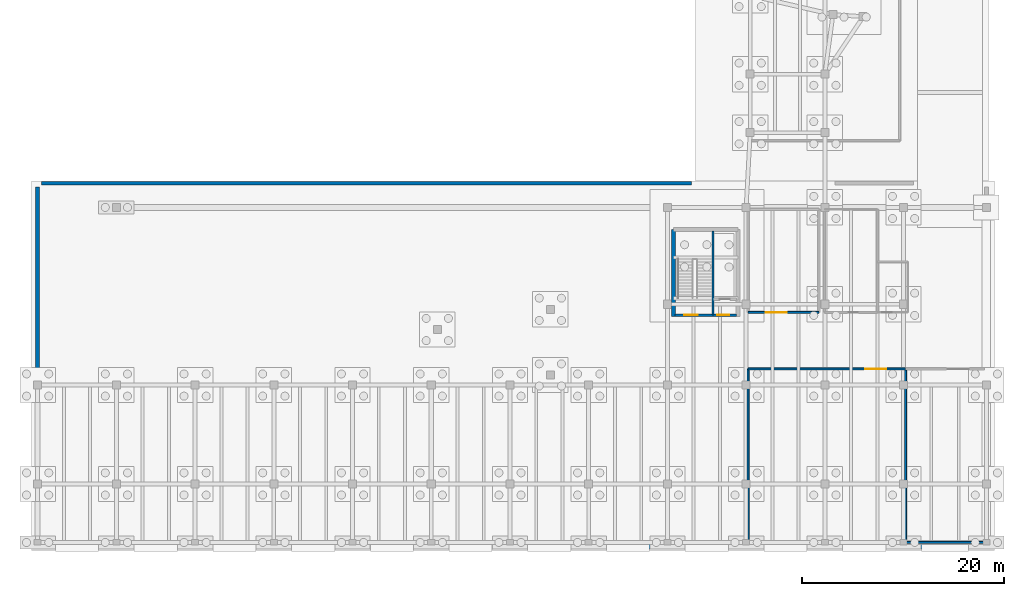
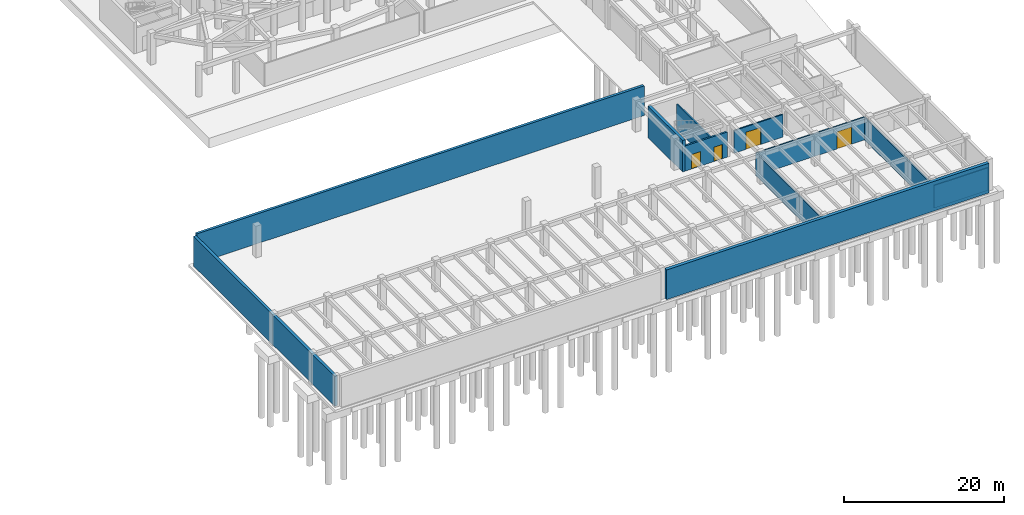
# One storey, part 6 of 11: 11 walls, 4 doors, 4 openings.
"""IFC4 building model written with IfcOpenShell, lengths in metres."""

from ifc_helpers import new_model, si_unit, direction, frame, frame_2d, origin, place, context, subcontext, project, spatial, rectangle, extrude, material, layer, layer_set, type_object, element, fill, save


model = new_model("IFC4")

# Units and contexts
model_context = context("Model", 3, precision=1e-05, world=origin(), true_north=direction((0.0, 1.0)))
body_context = subcontext(model_context, "Body", "Model", "MODEL_VIEW")
ifc_project = project(units=[si_unit("LENGTHUNIT", "METRE"), si_unit("AREAUNIT", "SQUARE_METRE"), si_unit("VOLUMEUNIT", "CUBIC_METRE"), si_unit("PLANEANGLEUNIT", "RADIAN"), si_unit("MASSUNIT", "GRAM", prefix="KILO")], contexts=[model_context])

# Site, building, storey
site_placement = place(None, origin())
site = spatial("IfcSite", under=ifc_project, at=site_placement, CompositionType="ELEMENT")
building_placement = place(site_placement, origin())
building = spatial("IfcBuilding", under=site, at=building_placement, Name="Pelvatis Terrace Science Centre", CompositionType="ELEMENT")
storey_placement = place(building_placement, frame((0.0, 0.0, -4.800048828125)))
storey = spatial("IfcBuildingStorey", under=building, at=storey_placement, Name="B01", CompositionType="ELEMENT", Elevation=-4.800048828125)

# Walls
ifc_material_1 = material(Name="Masonry laboratory fire wall", Category="masonry")
ifc_layer_1 = layer(ifc_material_1, 0.18994140625)
ifc_layer_set_1 = layer_set([ifc_layer_1], Name="Masonry laboratory fire wall")
wall_type_1 = type_object("IfcWallType", Name="WL-INT-COMP-190", PredefinedType="PARTITIONING", material=ifc_layer_set_1)
wall_1_placement = place(storey_placement, frame((156.199951171875, 0.39990234375, 0.0), z_axis=(0.0, 0.0, 1.0), x_axis=(1.0, 0.0, 0.0)))
element("IfcWall", 1, at=wall_1_placement, inside=storey, type_object=wall_type_1, Name="Covered Heavy Exhibit Loading Dock partition wall S", PredefinedType="PARTITIONING", context=body_context, shape_type="SweptSolid", body=[
    extrude(rectangle(XDim=7.800048828125, YDim=0.18994140625, at=frame_2d((3.89990234375, 0.0))), origin(), (0.0, 0.0, 1.0), 3.449951171875),
])
wall_2_placement = place(storey_placement, frame((156.199951171875, 17.60009765625, 0.0), z_axis=(0.0, 0.0, 1.0), x_axis=(0.0, -1.0, 0.0)))
element("IfcWall", 2, at=wall_2_placement, inside=storey, type_object=wall_type_1, Name="Covered Heavy Exhibit Loading Dock partition wall W", PredefinedType="PARTITIONING", context=body_context, shape_type="SweptSolid", body=[
    extrude(rectangle(XDim=17.2001953125, YDim=0.18994140625, at=frame_2d((8.60009765625, 0.0))), origin(), (0.0, 0.0, 1.0), 3.449951171875),
])

# Wall, opening, door
wall_3_placement = place(storey_placement, frame((156.199951171875, 17.60009765625, 0.0), z_axis=(0.0, 0.0, 1.0), x_axis=(-1.0, 0.0, 0.0)))
wall_3 = element("IfcWall", 3, at=wall_3_placement, inside=storey, type_object=wall_type_1, Name="Exhibit Carpentry and Metalwork Fabrication Workshop partition wall N", PredefinedType="PARTITIONING", context=body_context, shape_type="SweptSolid", body=[
    extrude(rectangle(XDim=15.599853515625, YDim=0.18994140625, at=frame_2d((7.7998046875, 0.0))), origin(), (0.0, 0.0, 1.0), 3.449951171875),
])
opening_1_placement = place(wall_3_placement, frame((1.910888671875, 0.0, 0.0)))
opening_1 = element("IfcOpeningElement", 4, at=opening_1_placement, cuts=wall_3, Name="Opening D-165", PredefinedType="OPENING", context=body_context, shape_type="SweptSolid", body=[
    extrude(rectangle(XDim=2.10009765625, YDim=2.60009765625, at=frame_2d((1.050048828125, 1.300048828125))), frame((0.0, 0.10498046875, 0.0), z_axis=(0.0, -1.0, 0.0), x_axis=(1.0, 0.0, 0.0)), (0.0, 0.0, 1.0), 0.2099609375),
])
ifc_material_2 = material(Name="Steel workshop crating double fire door", Category="steel")
door_type_1 = type_object("IfcDoorType", Name="DR-WORK-2100x2600", OperationType="NOTDEFINED", PredefinedType="DOOR", material=ifc_material_2)
door_1_placement = place(opening_1_placement, origin())
door_1 = element("IfcDoor", 5, at=door_1_placement, inside=storey, type_object=door_type_1, Name="Exhibit Carpentry and Metalwork Fabrication Workshop entrance door", OperationType="DOUBLE_DOOR_SINGLE_SWING", OverallHeight=2.60009765625, OverallWidth=2.10009765625, PredefinedType="DOOR", context=body_context, shape_type="SweptSolid", body=[
    extrude(rectangle(XDim=2.10009765625, YDim=2.60009765625, at=frame_2d((1.050048828125, 1.300048828125))), frame((0.0, 0.02490234375, 0.0), z_axis=(0.0, -1.0, 0.0), x_axis=(1.0, 0.0, 0.0)), (0.0, 0.0, 1.0), 0.050048828125),
])
fill(opening_1, door_1)

# Wall
wall_4_placement = place(storey_placement, frame((140.60009765625, 17.60009765625, 0.0), z_axis=(0.0, 0.0, 1.0), x_axis=(0.0, -1.0, 0.0)))
element("IfcWall", 6, at=wall_4_placement, inside=storey, type_object=wall_type_1, Name="Exhibit Carpentry and Metalwork Fabrication Workshop partition wall W", PredefinedType="PARTITIONING", context=body_context, shape_type="SweptSolid", body=[
    extrude(rectangle(XDim=17.2001953125, YDim=0.18994140625, at=frame_2d((8.60009765625, 0.0))), origin(), (0.0, 0.0, 1.0), 3.449951171875),
])

# Wall, opening, door
wall_5_placement = place(storey_placement, frame((140.60009765625, 23.199951171875, 0.0), z_axis=(0.0, 0.0, 1.0), x_axis=(1.0, 0.0, 0.0)))
wall_5 = element("IfcWall", 7, at=wall_5_placement, inside=storey, type_object=wall_type_1, Name="Clean Electronics and Exhibit Prototyping Workshop partition wall S", PredefinedType="PARTITIONING", context=body_context, shape_type="SweptSolid", body=[
    extrude(rectangle(XDim=7.0, YDim=0.18994140625, at=frame_2d((3.5, 0.0))), origin(), (0.0, 0.0, 1.0), 3.449951171875),
])
opening_2_placement = place(wall_5_placement, frame((1.73193359375, 0.0, 0.0)))
opening_2 = element("IfcOpeningElement", 8, at=opening_2_placement, cuts=wall_5, Name="Opening D-166", PredefinedType="OPENING", context=body_context, shape_type="SweptSolid", body=[
    extrude(rectangle(XDim=2.10009765625, YDim=2.60009765625, at=frame_2d((1.050048828125, 1.300048828125))), frame((0.0, 0.10498046875, 0.0), z_axis=(0.0, -1.0, 0.0), x_axis=(1.0, 0.0, 0.0)), (0.0, 0.0, 1.0), 0.2099609375),
])
door_2_placement = place(opening_2_placement, origin())
door_2 = element("IfcDoor", 9, at=door_2_placement, inside=storey, type_object=door_type_1, Name="Clean Electronics and Exhibit Prototyping Workshop entrance door", OperationType="DOUBLE_DOOR_SINGLE_SWING", OverallHeight=2.60009765625, OverallWidth=2.10009765625, PredefinedType="DOOR", context=body_context, shape_type="SweptSolid", body=[
    extrude(rectangle(XDim=2.10009765625, YDim=2.60009765625, at=frame_2d((1.050048828125, 1.300048828125))), frame((0.0, 0.02490234375, 0.0), z_axis=(0.0, -1.0, 0.0), x_axis=(1.0, 0.0, 0.0)), (0.0, 0.0, 1.0), 0.050048828125),
])
fill(opening_2, door_2)

# Wall
ifc_material_3 = material(Name="Concrete C35/45 shaft dividing wall", Category="concrete")
ifc_layer_2 = layer(ifc_material_3, 0.2099609375)
ifc_layer_set_2 = layer_set([ifc_layer_2], Name="Concrete C35/45 shaft dividing wall")
wall_type_2 = type_object("IfcWallType", Name="WL-INT-CORE-210", PredefinedType="PARTITIONING", material=ifc_layer_set_2)
wall_6_placement = place(storey_placement, frame((137.10009765625, 22.949951171875, 0.0), z_axis=(0.0, 0.0, 1.0), x_axis=(0.0, 1.0, 0.0)))
element("IfcWall", 10, at=wall_6_placement, inside=storey, type_object=wall_type_2, Name="Core C4 stair-lift shaft fire wall (B01)", PredefinedType="PARTITIONING", context=body_context, shape_type="SweptSolid", body=[
    extrude(rectangle(XDim=8.300048828125, YDim=0.2099609375, at=frame_2d((4.14990234375, 0.0))), origin(), (0.0, 0.0, 1.0), 3.840087890625),
])

# Wall, openings, doors
ifc_material_4 = material(Name="Concrete C35/45 shaft enclosure wall", Category="concrete")
ifc_layer_3 = layer(ifc_material_4, 0.239990234375)
ifc_layer_set_3 = layer_set([ifc_layer_3], Name="Concrete C35/45 shaft enclosure wall")
wall_type_3 = type_object("IfcWallType", Name="WL-INT-CORE-240", PredefinedType="PARTITIONING", material=ifc_layer_set_3)
wall_7_placement = place(storey_placement, frame((133.35009765625, 22.919921875, 0.0), z_axis=(0.0, 0.0, 1.0), x_axis=(1.0, 0.0, 0.0)))
wall_7 = element("IfcWall", 11, at=wall_7_placement, inside=storey, type_object=wall_type_3, Name="Core C4 fire-rated lobby wall (B01)", PredefinedType="PARTITIONING", context=body_context, shape_type="SweptSolid", body=[
    extrude(rectangle(XDim=6.099853515625, YDim=0.239990234375, at=frame_2d((3.0498046875, 0.0))), origin(), (0.0, 0.0, 1.0), 3.840087890625),
])
opening_3_placement = place(wall_7_placement, frame((0.89990234375, 0.0, 0.0)))
opening_3 = element("IfcOpeningElement", 12, at=opening_3_placement, cuts=wall_7, Name="Opening D-141", PredefinedType="OPENING", context=body_context, shape_type="SweptSolid", body=[
    extrude(rectangle(XDim=1.35009765625, YDim=2.199951171875, at=frame_2d((0.675048828125, 1.10009765625))), frame((0.0, 0.1298828125, 0.0), z_axis=(0.0, -1.0, 0.0), x_axis=(1.0, 0.0, 0.0)), (0.0, 0.0, 1.0), 0.260009765625),
])
opening_4_placement = place(wall_7_placement, frame((4.199951171875, 0.0, 0.0)))
opening_4 = element("IfcOpeningElement", 13, at=opening_4_placement, cuts=wall_7, Name="Opening D-142", PredefinedType="OPENING", context=body_context, shape_type="SweptSolid", body=[
    extrude(rectangle(XDim=1.199951171875, YDim=2.199951171875, at=frame_2d((0.60009765625, 1.10009765625))), frame((0.0, 0.1298828125, 0.0), z_axis=(0.0, -1.0, 0.0), x_axis=(1.0, 0.0, 0.0)), (0.0, 0.0, 1.0), 0.260009765625),
])
ifc_material_5 = material(Name="Steel fire-rated exit stair door", Category="steel")
door_type_2 = type_object("IfcDoorType", Name="DR-STAIR-1200x2200", OperationType="NOTDEFINED", PredefinedType="DOOR", material=ifc_material_5)
door_3_placement = place(opening_4_placement, origin())
door_3 = element("IfcDoor", 14, at=door_3_placement, inside=storey, type_object=door_type_2, Name="Core C4 lift lobby fire door (B01)", OperationType="SINGLE_SWING_RIGHT", OverallHeight=2.199951171875, OverallWidth=1.199951171875, PredefinedType="DOOR", context=body_context, shape_type="SweptSolid", body=[
    extrude(rectangle(XDim=1.199951171875, YDim=2.199951171875, at=frame_2d((0.60009765625, 1.10009765625))), frame((0.0, 0.02490234375, 0.0), z_axis=(0.0, -1.0, 0.0), x_axis=(1.0, 0.0, 0.0)), (0.0, 0.0, 1.0), 0.050048828125),
])
fill(opening_4, door_3)
ifc_material_6 = material(Name="Steel fire-rated protected stair door", Category="steel")
door_type_3 = type_object("IfcDoorType", Name="DR-STAIR-1350x2200", OperationType="NOTDEFINED", PredefinedType="DOOR", material=ifc_material_6)
door_4_placement = place(opening_3_placement, origin())
door_4 = element("IfcDoor", 15, at=door_4_placement, inside=storey, type_object=door_type_3, Name="Core C4 protected stair fire door (B01)", OperationType="SINGLE_SWING_LEFT", OverallHeight=2.199951171875, OverallWidth=1.35009765625, PredefinedType="DOOR", context=body_context, shape_type="SweptSolid", body=[
    extrude(rectangle(XDim=1.35009765625, YDim=2.199951171875, at=frame_2d((0.675048828125, 1.10009765625))), frame((0.0, 0.02490234375, 0.0), z_axis=(0.0, -1.0, 0.0), x_axis=(1.0, 0.0, 0.0)), (0.0, 0.0, 1.0), 0.050048828125),
])
fill(opening_3, door_4)

# Walls
ifc_material_7 = material(Name="Concrete C35/45", Category="concrete")
ifc_layer_4 = layer(ifc_material_7, 0.3701171875)
ifc_layer_set_4 = layer_set([ifc_layer_4], Name="Concrete C35/45")
wall_type_4 = type_object("IfcWallType", Name="WL-RET-370", PredefinedType="USERDEFINED", material=ifc_layer_set_4)
wall_8_placement = place(storey_placement, frame((70.60009765625, 36.0, 0.0), z_axis=(0.0, 0.0, 1.0), x_axis=(1.0, 0.0, 0.0)))
element("IfcWall", 16, at=wall_8_placement, inside=storey, type_object=wall_type_4, Name="Basement retaining wall N1", ObjectType="RETAINING WALL", PredefinedType="USERDEFINED", context=body_context, shape_type="SweptSolid", body=[
    extrude(rectangle(XDim=64.39990234375, YDim=0.3701171875, at=frame_2d((32.199951171875, 0.0))), origin(), (0.0, 0.0, 1.0), 4.52001953125),
])
ifc_material_8 = material(Name="Concrete C35/45", Category="concrete")
ifc_layer_5 = layer(ifc_material_8, 0.409912109375)
ifc_layer_set_5 = layer_set([ifc_layer_5], Name="Concrete C35/45")
wall_type_5 = type_object("IfcWallType", Name="WL-RET-410", PredefinedType="USERDEFINED", material=ifc_layer_set_5)
wall_9_placement = place(storey_placement, frame((70.199951171875, 0.39990234375, 0.0), z_axis=(0.0, 0.0, 1.0), x_axis=(0.0, 1.0, 0.0)))
element("IfcWall", 17, at=wall_9_placement, inside=storey, type_object=wall_type_5, Name="Basement retaining wall W1", ObjectType="RETAINING WALL", PredefinedType="USERDEFINED", context=body_context, shape_type="SweptSolid", body=[
    extrude(rectangle(XDim=35.2001953125, YDim=0.409912109375, at=frame_2d((17.60009765625, 0.0))), origin(), (0.0, 0.0, 1.0), 4.52001953125),
])
ifc_material_9 = material(Name="Concrete C35/45", Category="concrete")
ifc_layer_6 = layer(ifc_material_9, 0.449951171875)
ifc_layer_set_6 = layer_set([ifc_layer_6], Name="Concrete C35/45")
wall_type_6 = type_object("IfcWallType", Name="WL-RET-450", PredefinedType="USERDEFINED", material=ifc_layer_set_6)
wall_10_placement = place(storey_placement, frame((117.39990234375, 0.0, 0.0), z_axis=(0.0, 0.0, 1.0), x_axis=(1.0, 0.0, 0.0)))
element("IfcWall", 18, at=wall_10_placement, inside=storey, type_object=wall_type_6, Name="Basement retaining wall S2", ObjectType="RETAINING WALL", PredefinedType="USERDEFINED", context=body_context, shape_type="SweptSolid", body=[
    extrude(rectangle(XDim=46.400146484375, YDim=0.449951171875, at=frame_2d((23.2001953125, 0.0))), origin(), (0.0, 0.0, 1.0), 4.52001953125),
])
ifc_material_10 = material(Name="Concrete C40/50", Category="concrete")
ifc_layer_7 = layer(ifc_material_10, 0.39990234375)
ifc_layer_set_7 = layer_set([ifc_layer_7], Name="Concrete C40/50")
wall_type_7 = type_object("IfcWallType", Name="WL-SHR-400", PredefinedType="SHEAR", material=ifc_layer_set_7)
wall_11_placement = place(storey_placement, frame((133.199951171875, 22.800048828125, 0.0), z_axis=(0.0, 0.0, 1.0), x_axis=(0.0, 1.0, 0.0)))
element("IfcWall", 19, at=wall_11_placement, inside=storey, type_object=wall_type_7, Name="Core C4 shear wall W (B01)", PredefinedType="SHEAR", context=body_context, shape_type="SweptSolid", body=[
    extrude(rectangle(XDim=8.599853515625, YDim=0.39990234375, at=frame_2d((4.2998046875, 0.0))), origin(), (0.0, 0.0, 1.0), 4.800048828125),
])

save(model, "model.ifc")
